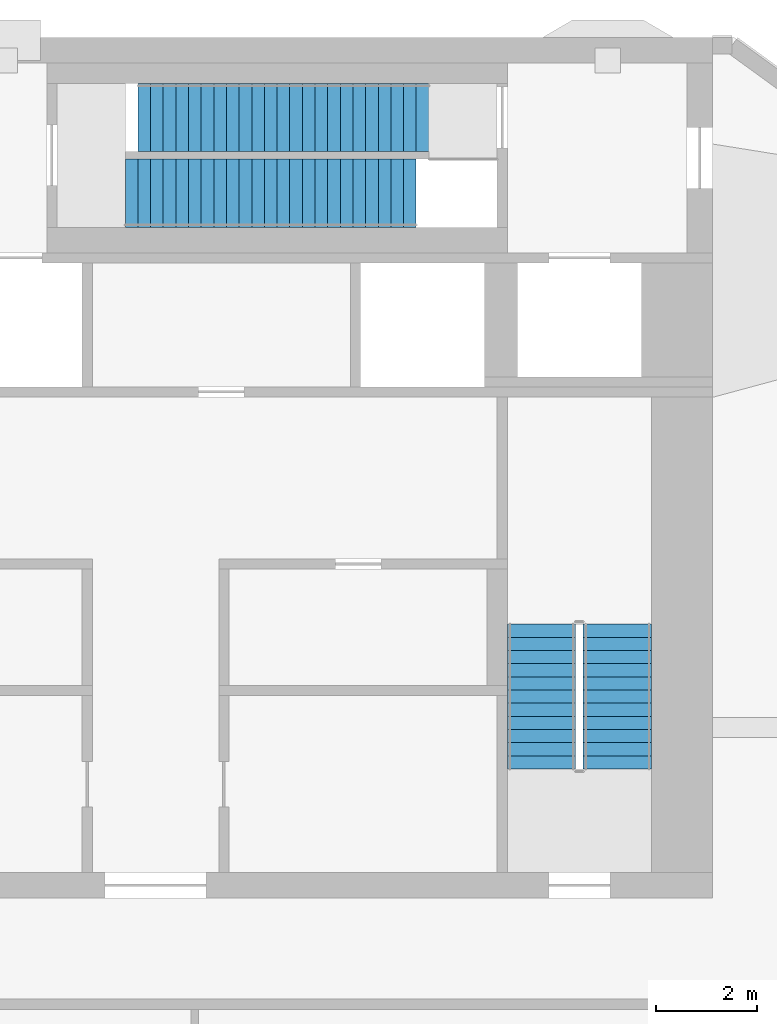
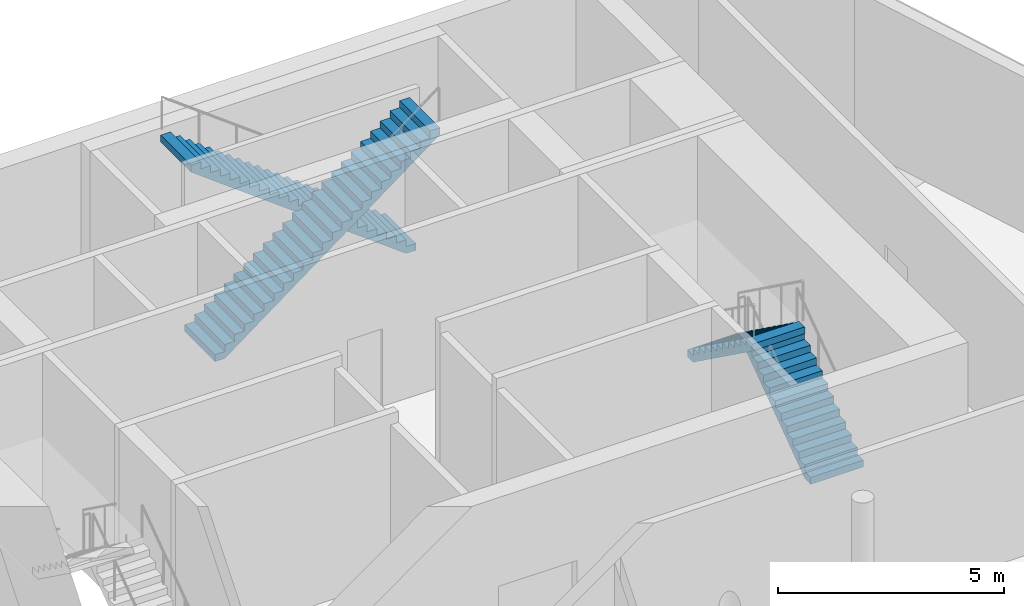
# One storey, part 4 of 8: 4 stair flights, 3 elements without a shape of their own.
"""IFC4 building model written with IfcOpenShell, lengths in metres."""

from ifc_helpers import new_model, si_unit, direction, frame, origin, place, context, subcontext, project, spatial, polyline, outline, extrude, material, layer, layer_set, type_object, element, aggregate, save


model = new_model("IFC4")

# Units and contexts
model_context = context("Model", 3, precision=1e-05, world=origin(), true_north=direction((0.0, 1.0)))
body_context = subcontext(model_context, "Body", "Model", "MODEL_VIEW")
ifc_project = project(units=[si_unit("LENGTHUNIT", "METRE"), si_unit("AREAUNIT", "SQUARE_METRE"), si_unit("VOLUMEUNIT", "CUBIC_METRE"), si_unit("PLANEANGLEUNIT", "RADIAN"), si_unit("MASSUNIT", "GRAM", prefix="KILO")], contexts=[model_context])

# Site, building, storey
site_placement = place(None, origin())
site = spatial("IfcSite", under=ifc_project, at=site_placement, CompositionType="ELEMENT")
building_placement = place(site_placement, origin())
building = spatial("IfcBuilding", under=site, at=building_placement, Name="White Candle Pilgrim Tower", CompositionType="ELEMENT")
storey_placement = place(building_placement, frame((0.0, 0.0, 328.699951171875)))
storey = spatial("IfcBuildingStorey", under=building, at=storey_placement, Name="L77", CompositionType="ELEMENT", Elevation=328.699951171875)

# Stair, stair flights
ifc_material = material(Name="Concrete C40/50", Category="concrete")
stair_type_1 = type_object("IfcStairType", Name="Exit stair 2 flight width 1350 mm", PredefinedType="HALF_TURN_STAIR", material=ifc_material)
stair_1_placement = place(storey_placement, origin())
stair_1 = element("IfcStair", 1, at=stair_1_placement, inside=storey, type_object=stair_type_1, Name="L77 stair 2", PredefinedType="NOTDEFINED")
ifc_layer = layer(ifc_material, 0.14990234375)
ifc_layer_set = layer_set([ifc_layer], Name="Stair flight Concrete C40/50")
stair_flight_type = type_object("IfcStairFlightType", Name="Stair flight Concrete C40/50", PredefinedType="STRAIGHT", material=ifc_layer_set)
stair_flight_1_placement = place(storey_placement, frame((79.125, 73.550048828125, 0.0), z_axis=(0.0, 0.0, 1.0), x_axis=(0.0, 1.0, 0.0)))
stair_flight_1 = element("IfcStairFlight", 2, at=stair_flight_1_placement, type_object=stair_flight_type, Name="ST2 flight 1", NumberOfRisers=12, NumberOfTreads=11, PredefinedType="NOTDEFINED", RiserHeight=0.1875, TreadLength=0.26, context=body_context, shape_type="SweptSolid", body=[
    extrude(outline(polyline([(0.0, 0.0), (0.0, 0.1875), (0.260009765625, 0.1875), (0.260009765625, 0.375), (0.52001953125, 0.375), (0.52001953125, 0.5625), (0.780029296875, 0.5625), (0.780029296875, 0.75), (1.0400390625, 0.75), (1.0400390625, 0.9375), (1.300048828125, 0.9375), (1.300048828125, 1.125), (1.56005859375, 1.125), (1.56005859375, 1.3125), (1.820068359375, 1.3125), (1.820068359375, 1.5), (2.080078125, 1.5), (2.080078125, 1.6875), (2.340087890625, 1.6875), (2.340087890625, 1.875), (2.60009765625, 1.875), (2.60009765625, 2.0625), (2.860107421875, 2.0625), (2.860107421875, 2.25), (2.860107421875, 1.877685546875), (0.25634765625, 0.0), (0.0, 0.0)])), frame((0.0, 0.675048828125, 0.0), z_axis=(0.0, -1.0, 0.0), x_axis=(1.0, 0.0, 0.0)), (0.0, 0.0, 1.0), 1.35009765625),
])
stair_flight_2_placement = place(storey_placement, frame((77.625, 76.409912109375, 2.25), z_axis=(0.0, 0.0, 1.0), x_axis=(0.0, -1.0, 0.0)))
stair_flight_2 = element("IfcStairFlight", 3, at=stair_flight_2_placement, type_object=stair_flight_type, Name="ST2 flight 2", NumberOfRisers=12, NumberOfTreads=11, PredefinedType="NOTDEFINED", RiserHeight=0.1875, TreadLength=0.26, context=body_context, shape_type="SweptSolid", body=[
    extrude(outline(polyline([(0.0, 0.0), (0.0, 0.1875), (0.260009765625, 0.1875), (0.260009765625, 0.375), (0.52001953125, 0.375), (0.52001953125, 0.5625), (0.780029296875, 0.5625), (0.780029296875, 0.75), (1.0400390625, 0.75), (1.0400390625, 0.9375), (1.300048828125, 0.9375), (1.300048828125, 1.125), (1.56005859375, 1.125), (1.56005859375, 1.3125), (1.820068359375, 1.3125), (1.820068359375, 1.5), (2.080078125, 1.5), (2.080078125, 1.6875), (2.340087890625, 1.6875), (2.340087890625, 1.875), (2.60009765625, 1.875), (2.60009765625, 2.0625), (2.860107421875, 2.0625), (2.860107421875, 2.25), (2.860107421875, 1.877685546875), (0.25634765625, 0.0), (0.0, 0.0)])), frame((0.0, 0.675048828125, 0.0), z_axis=(0.0, -1.0, 0.0), x_axis=(1.0, 0.0, 0.0)), (0.0, 0.0, 1.0), 1.35009765625),
])
aggregate(stair_1, [stair_flight_1, stair_flight_2])

# Stair, stair flight
stair_type_2 = type_object("IfcStairType", Name="Exit stair 12 flight width 1350 mm", PredefinedType="STRAIGHT_RUN_STAIR", material=ifc_material)
stair_2_placement = place(storey_placement, origin())
stair_2 = element("IfcStair", 4, at=stair_2_placement, inside=storey, type_object=stair_type_2, Name="L77 stair 12 A", PredefinedType="NOTDEFINED")
stair_flight_3_placement = place(storey_placement, frame((69.39990234375, 84.925048828125, 0.0), z_axis=(0.0, 0.0, 1.0), x_axis=(1.0, 0.0, 0.0)))
stair_flight_3 = element("IfcStairFlight", 5, at=stair_flight_3_placement, type_object=stair_flight_type, Name="ST12A flight 1", NumberOfRisers=24, NumberOfTreads=23, PredefinedType="NOTDEFINED", RiserHeight=0.1875, TreadLength=0.25, context=body_context, shape_type="SweptSolid", body=[
    extrude(outline(polyline([(0.0, 0.0), (0.0, 0.1875), (0.25, 0.1875), (0.25, 0.375), (0.5, 0.375), (0.5, 0.5625), (0.75, 0.5625), (0.75, 0.75), (1.0, 0.75), (1.0, 0.9375), (1.25, 0.9375), (1.25, 1.125), (1.5, 1.125), (1.5, 1.3125), (1.75, 1.3125), (1.75, 1.5), (2.0, 1.5), (2.0, 1.6875), (2.25, 1.6875), (2.25, 1.875), (2.5, 1.875), (2.5, 2.0625), (2.75, 2.0625), (2.75, 2.25), (3.0, 2.25), (3.0, 2.4375), (3.25, 2.4375), (3.25, 2.625), (3.5, 2.625), (3.5, 2.8125), (3.75, 2.8125), (3.75, 3.0), (4.0, 3.0), (4.0, 3.1875), (4.25, 3.1875), (4.25, 3.375), (4.5, 3.375), (4.5, 3.5625), (4.75, 3.5625), (4.75, 3.75), (5.0, 3.75), (5.0, 3.9375), (5.25, 3.9375), (5.25, 4.125), (5.5, 4.125), (5.5, 4.3125), (5.75, 4.3125), (5.75, 4.5), (5.75, 4.125), (0.249755859375, 0.0), (0.0, 0.0)])), frame((0.0, 0.675048828125, 0.0), z_axis=(0.0, -1.0, 0.0), x_axis=(1.0, 0.0, 0.0)), (0.0, 0.0, 1.0), 1.35009765625),
])
aggregate(stair_2, [stair_flight_3])

stair_3_placement = place(storey_placement, origin())
stair_3 = element("IfcStair", 6, at=stair_3_placement, inside=storey, type_object=stair_type_2, Name="L77 stair 12 B", PredefinedType="NOTDEFINED")
stair_flight_4_placement = place(storey_placement, frame((75.39990234375, 86.425048828125, 0.0), z_axis=(0.0, 0.0, 1.0), x_axis=(-1.0, 0.0, 0.0)))
stair_flight_4 = element("IfcStairFlight", 7, at=stair_flight_4_placement, type_object=stair_flight_type, Name="ST12B flight 1", NumberOfRisers=24, NumberOfTreads=23, PredefinedType="NOTDEFINED", RiserHeight=0.1875, TreadLength=0.25, context=body_context, shape_type="SweptSolid", body=[
    extrude(outline(polyline([(0.0, 0.0), (0.0, 0.1875), (0.25, 0.1875), (0.25, 0.375), (0.5, 0.375), (0.5, 0.5625), (0.75, 0.5625), (0.75, 0.75), (1.0, 0.75), (1.0, 0.9375), (1.25, 0.9375), (1.25, 1.125), (1.5, 1.125), (1.5, 1.3125), (1.75, 1.3125), (1.75, 1.5), (2.0, 1.5), (2.0, 1.6875), (2.25, 1.6875), (2.25, 1.875), (2.5, 1.875), (2.5, 2.0625), (2.75, 2.0625), (2.75, 2.25), (3.0, 2.25), (3.0, 2.4375), (3.25, 2.4375), (3.25, 2.625), (3.5, 2.625), (3.5, 2.8125), (3.75, 2.8125), (3.75, 3.0), (4.0, 3.0), (4.0, 3.1875), (4.25, 3.1875), (4.25, 3.375), (4.5, 3.375), (4.5, 3.5625), (4.75, 3.5625), (4.75, 3.75), (5.0, 3.75), (5.0, 3.9375), (5.25, 3.9375), (5.25, 4.125), (5.5, 4.125), (5.5, 4.3125), (5.75, 4.3125), (5.75, 4.5), (5.75, 4.125), (0.249755859375, 0.0), (0.0, 0.0)])), frame((0.0, 0.675048828125, 0.0), z_axis=(0.0, -1.0, 0.0), x_axis=(1.0, 0.0, 0.0)), (0.0, 0.0, 1.0), 1.35009765625),
])
aggregate(stair_3, [stair_flight_4])

save(model, "model.ifc")
